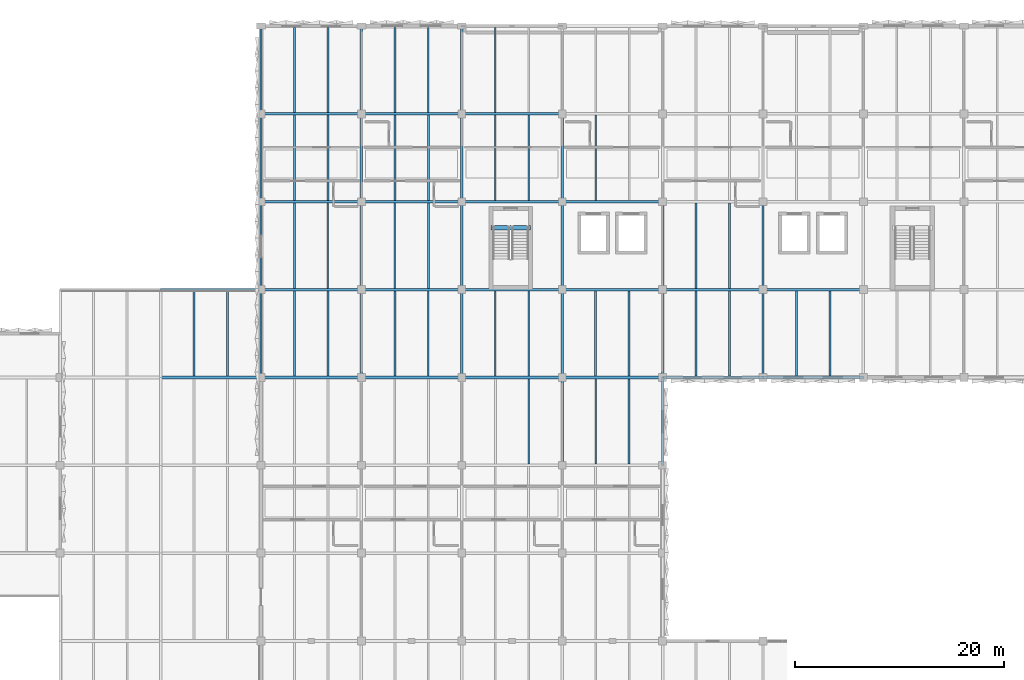
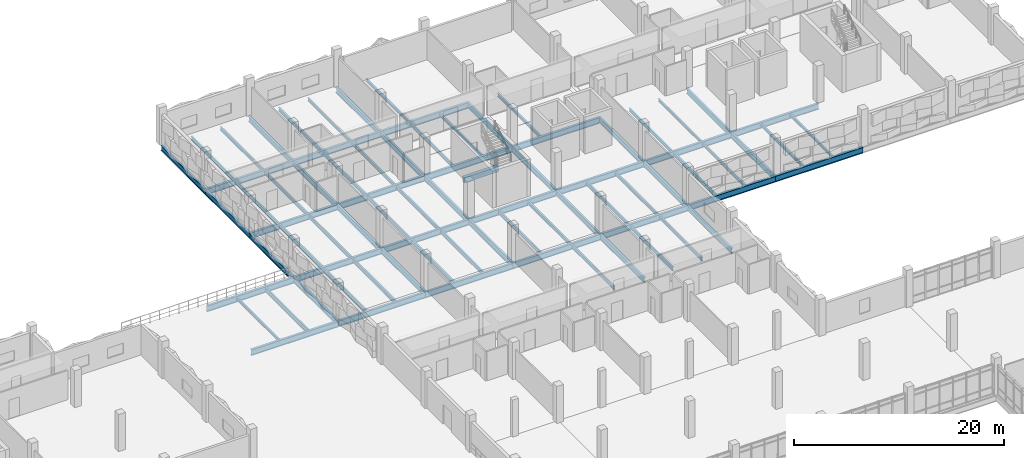
# One storey, part 35 of 86: 78 beams.
"""IFC4 building model written with IfcOpenShell, lengths in metres."""

from ifc_helpers import new_model, si_unit, direction, frame, origin, origin_2d, place, context, subcontext, project, spatial, rectangle, i_section, extrude, material, material_profile, profile_set, type_object, element, save


model = new_model("IFC4")

# Units and contexts
model_context = context("Model", 3, precision=1e-05, world=origin(), true_north=direction((0.0, 1.0)))
body_context = subcontext(model_context, "Body", "Model", "MODEL_VIEW")
ifc_project = project(units=[si_unit("LENGTHUNIT", "METRE"), si_unit("AREAUNIT", "SQUARE_METRE"), si_unit("VOLUMEUNIT", "CUBIC_METRE"), si_unit("PLANEANGLEUNIT", "RADIAN"), si_unit("MASSUNIT", "GRAM", prefix="KILO")], contexts=[model_context])

# Site, building, storey
site_placement = place(None, origin())
site = spatial("IfcSite", under=ifc_project, at=site_placement, CompositionType="ELEMENT")
building_placement = place(site_placement, origin())
building = spatial("IfcBuilding", under=site, at=building_placement, Name="Oolite Switchyard Hospital", CompositionType="ELEMENT")
storey_placement = place(building_placement, frame((0.0, 0.0, 13.5)))
storey = spatial("IfcBuildingStorey", under=building, at=storey_placement, Name="L03", CompositionType="ELEMENT", Elevation=13.5)

# Beams
ifc_material_1 = material(Name="Concrete C40/50", Category="concrete")
ifc_material_profile_1 = material_profile(ifc_material_1, rectangle(XDim=0.39990234375, YDim=0.60009765625, at=origin_2d()), Name="RCB400X600")
ifc_profile_set_1 = profile_set([ifc_material_profile_1], Name="Concrete C40/50")
beam_type_1 = type_object("IfcBeamType", Name="BM-RC400X600", PredefinedType="BEAM", material=ifc_profile_set_1)
beam_1_placement = place(storey_placement, frame((156.39990234375, 115.110107421875, -0.300048828125), z_axis=(1.0, 0.0, 0.0), x_axis=(0.0, 1.0, 0.0)))
element("IfcBeam", 1, at=beam_1_placement, inside=storey, type_object=beam_type_1, Name="L03 ST-03 Stair Throat Trimmer Beam", PredefinedType="BEAM", context=body_context, shape_type="SweptSolid", body=[
    extrude(rectangle(XDim=0.39990234375, YDim=0.60009765625, at=origin_2d()), origin(), (0.0, 0.0, 1.0), 3.760009765625),
])
ifc_material_2 = material(Name="Steel ASTM A992 Grade 50", Category="steel")
ifc_material_profile_2 = material_profile(ifc_material_2, i_section(OverallWidth=0.1650390625, OverallDepth=0.31005859375, WebThickness=0.006103515625, FlangeThickness=0.010009765625, at=origin_2d()), Name="W12X26")
ifc_profile_set_2 = profile_set([ifc_material_profile_2], Name="Steel ASTM A992 Grade 50")
beam_type_2 = type_object("IfcBeamType", Name="BM-W12X26", PredefinedType="JOIST", material=ifc_profile_set_2)
for number, where, z_axis, x_axis, name in (
    (2, (128.0, 100.927001953125, -0.445068359375), (0.0, 1.0, 0.0), (-1.0, 0.0, 0.0), "L03 Secondary Steel Joist 2586"),
    (3, (179.199951171875, 109.326904296875, -0.429931640625), (0.0, 1.0, 0.0), (-1.0, 0.0, 0.0), "L03 Secondary Steel Joist 2689"),
    (4, (188.800048828125, 100.927001953125, -0.429931640625), (0.0, 1.0, 0.0), (-1.0, 0.0, 0.0), "L03 Secondary Steel Joist 2711"),
):
    element("IfcBeam", number, at=place(storey_placement, frame(where, z_axis=z_axis, x_axis=x_axis)), inside=storey, type_object=beam_type_2, Name=name, PredefinedType="JOIST", context=body_context, shape_type="SweptSolid", body=[
        extrude(i_section(OverallWidth=0.1650390625, OverallDepth=0.31005859375, WebThickness=0.006103515625, FlangeThickness=0.010009765625, at=origin_2d()), origin(), (0.0, 0.0, 1.0), 8.14599609375),
    ])
ifc_material_profile_3 = material_profile(ifc_material_2, i_section(OverallWidth=0.1708984375, OverallDepth=0.35107421875, WebThickness=0.007080078125, FlangeThickness=0.010009765625, at=origin_2d()), Name="W14X30")
ifc_profile_set_3 = profile_set([ifc_material_profile_3], Name="Steel ASTM A992 Grade 50")
beam_type_3 = type_object("IfcBeamType", Name="BM-W14X30", PredefinedType="JOIST", material=ifc_profile_set_3)
beam_2_placement = place(storey_placement, frame((150.39990234375, 126.126953125, -0.449951171875), z_axis=(0.0, 1.0, 0.0), x_axis=(-1.0, 0.0, 0.0)))
element("IfcBeam", 5, at=beam_2_placement, inside=storey, type_object=beam_type_3, Name="L03 Secondary Steel Joist 2637", PredefinedType="JOIST", context=body_context, shape_type="SweptSolid", body=[
    extrude(i_section(OverallWidth=0.1708984375, OverallDepth=0.35107421875, WebThickness=0.007080078125, FlangeThickness=0.010009765625, at=origin_2d()), origin(), (0.0, 0.0, 1.0), 8.14013671875),
])
beam_3_placement = place(storey_placement, frame((160.0, 117.72705078125, -0.449951171875), z_axis=(0.0, 1.0, 0.0), x_axis=(-1.0, 0.0, 0.0)))
element("IfcBeam", 6, at=beam_3_placement, inside=storey, type_object=beam_type_3, Name="L03 Secondary Steel Joist 2655", PredefinedType="JOIST", context=body_context, shape_type="SweptSolid", body=[
    extrude(i_section(OverallWidth=0.1708984375, OverallDepth=0.35107421875, WebThickness=0.007080078125, FlangeThickness=0.010009765625, at=origin_2d()), origin(), (0.0, 0.0, 1.0), 8.14599609375),
])
beam_4_placement = place(storey_placement, frame((156.800048828125, 126.126953125, -0.449951171875), z_axis=(0.0, 1.0, 0.0), x_axis=(-1.0, 0.0, 0.0)))
element("IfcBeam", 7, at=beam_4_placement, inside=storey, type_object=beam_type_3, Name="L03 Secondary Steel Joist 2656", PredefinedType="JOIST", context=body_context, shape_type="SweptSolid", body=[
    extrude(i_section(OverallWidth=0.1708984375, OverallDepth=0.35107421875, WebThickness=0.007080078125, FlangeThickness=0.010009765625, at=origin_2d()), origin(), (0.0, 0.0, 1.0), 8.14013671875),
])
for number, where, z_axis, x_axis, name in (
    (8, (166.39990234375, 117.72705078125, -0.449951171875), (0.0, 1.0, 0.0), (-1.0, 0.0, 0.0), "L03 Secondary Steel Joist 2674"),
    (9, (179.199951171875, 100.927001953125, -0.449951171875), (0.0, 1.0, 0.0), (-1.0, 0.0, 0.0), "L03 Secondary Steel Joist 2687"),
    (10, (176.0, 109.326904296875, -0.449951171875), (0.0, 1.0, 0.0), (-1.0, 0.0, 0.0), "L03 Secondary Steel Joist 2688"),
    (11, (185.60009765625, 100.927001953125, -0.449951171875), (0.0, 1.0, 0.0), (-1.0, 0.0, 0.0), "L03 Secondary Steel Joist 2710"),
):
    element("IfcBeam", number, at=place(storey_placement, frame(where, z_axis=z_axis, x_axis=x_axis)), inside=storey, type_object=beam_type_3, Name=name, PredefinedType="JOIST", context=body_context, shape_type="SweptSolid", body=[
        extrude(i_section(OverallWidth=0.1708984375, OverallDepth=0.35107421875, WebThickness=0.007080078125, FlangeThickness=0.010009765625, at=origin_2d()), origin(), (0.0, 0.0, 1.0), 8.14599609375),
    ])
ifc_material_profile_4 = material_profile(ifc_material_2, i_section(OverallWidth=0.177978515625, OverallDepth=0.403076171875, WebThickness=0.008056640625, FlangeThickness=0.010986328125, at=origin_2d()), Name="W16X36")
ifc_profile_set_4 = profile_set([ifc_material_profile_4], Name="Steel ASTM A992 Grade 50")
beam_type_4 = type_object("IfcBeamType", Name="BM-W16X36", PredefinedType="JOIST", material=ifc_profile_set_4)
beam_5_placement = place(storey_placement, frame((140.800048828125, 126.126953125, -0.47607421875), z_axis=(0.0, 1.0, 0.0), x_axis=(-1.0, 0.0, 0.0)))
element("IfcBeam", 12, at=beam_5_placement, inside=storey, type_object=beam_type_4, Name="L03 Secondary Steel Joist 2617", PredefinedType="JOIST", context=body_context, shape_type="SweptSolid", body=[
    extrude(i_section(OverallWidth=0.177978515625, OverallDepth=0.403076171875, WebThickness=0.008056640625, FlangeThickness=0.010986328125, at=origin_2d()), origin(), (0.0, 0.0, 1.0), 8.14013671875),
])
beam_6_placement = place(storey_placement, frame((150.39990234375, 117.72705078125, -0.47607421875), z_axis=(0.0, 1.0, 0.0), x_axis=(-1.0, 0.0, 0.0)))
element("IfcBeam", 13, at=beam_6_placement, inside=storey, type_object=beam_type_4, Name="L03 Secondary Steel Joist 2635", PredefinedType="JOIST", context=body_context, shape_type="SweptSolid", body=[
    extrude(i_section(OverallWidth=0.177978515625, OverallDepth=0.403076171875, WebThickness=0.008056640625, FlangeThickness=0.010986328125, at=origin_2d()), origin(), (0.0, 0.0, 1.0), 8.14599609375),
])
beam_7_placement = place(storey_placement, frame((147.199951171875, 126.126953125, -0.47607421875), z_axis=(0.0, 1.0, 0.0), x_axis=(-1.0, 0.0, 0.0)))
element("IfcBeam", 14, at=beam_7_placement, inside=storey, type_object=beam_type_4, Name="L03 Secondary Steel Joist 2636", PredefinedType="JOIST", context=body_context, shape_type="SweptSolid", body=[
    extrude(i_section(OverallWidth=0.177978515625, OverallDepth=0.403076171875, WebThickness=0.008056640625, FlangeThickness=0.010986328125, at=origin_2d()), origin(), (0.0, 0.0, 1.0), 8.14013671875),
])
for number, where, z_axis, x_axis, name in (
    (15, (156.800048828125, 117.72705078125, -0.47607421875), (0.0, 1.0, 0.0), (-1.0, 0.0, 0.0), "L03 Secondary Steel Joist 2654"),
    (16, (169.60009765625, 100.927001953125, -0.47607421875), (0.0, 1.0, 0.0), (-1.0, 0.0, 0.0), "L03 Secondary Steel Joist 2673"),
    (17, (176.0, 100.927001953125, -0.47607421875), (0.0, 1.0, 0.0), (-1.0, 0.0, 0.0), "L03 Secondary Steel Joist 2686"),
):
    element("IfcBeam", number, at=place(storey_placement, frame(where, z_axis=z_axis, x_axis=x_axis)), inside=storey, type_object=beam_type_4, Name=name, PredefinedType="JOIST", context=body_context, shape_type="SweptSolid", body=[
        extrude(i_section(OverallWidth=0.177978515625, OverallDepth=0.403076171875, WebThickness=0.008056640625, FlangeThickness=0.010986328125, at=origin_2d()), origin(), (0.0, 0.0, 1.0), 8.14599609375),
    ])
ifc_material_profile_5 = material_profile(ifc_material_2, i_section(OverallWidth=0.179931640625, OverallDepth=0.4130859375, WebThickness=0.010009765625, FlangeThickness=0.01611328125, at=origin_2d()), Name="W16X50")
ifc_profile_set_5 = profile_set([ifc_material_profile_5], Name="Steel ASTM A992 Grade 50")
beam_type_5 = type_object("IfcBeamType", Name="BM-W16X50", PredefinedType="JOIST", material=ifc_profile_set_5)
beam_8_placement = place(storey_placement, frame((140.800048828125, 117.72705078125, -0.48193359375), z_axis=(0.0, 1.0, 0.0), x_axis=(-1.0, 0.0, 0.0)))
element("IfcBeam", 18, at=beam_8_placement, inside=storey, type_object=beam_type_5, Name="L03 Secondary Steel Joist 2615", PredefinedType="JOIST", context=body_context, shape_type="SweptSolid", body=[
    extrude(i_section(OverallWidth=0.179931640625, OverallDepth=0.4130859375, WebThickness=0.010009765625, FlangeThickness=0.01611328125, at=origin_2d()), origin(), (0.0, 0.0, 1.0), 8.14599609375),
])
beam_9_placement = place(storey_placement, frame((137.60009765625, 126.126953125, -0.48193359375), z_axis=(0.0, 1.0, 0.0), x_axis=(-1.0, 0.0, 0.0)))
element("IfcBeam", 19, at=beam_9_placement, inside=storey, type_object=beam_type_5, Name="L03 Secondary Steel Joist 2616", PredefinedType="JOIST", context=body_context, shape_type="SweptSolid", body=[
    extrude(i_section(OverallWidth=0.179931640625, OverallDepth=0.4130859375, WebThickness=0.010009765625, FlangeThickness=0.01611328125, at=origin_2d()), origin(), (0.0, 0.0, 1.0), 8.14013671875),
])
for number, where, z_axis, x_axis, name in (
    (20, (150.39990234375, 109.326904296875, -0.48193359375), (0.0, 1.0, 0.0), (-1.0, 0.0, 0.0), "L03 Secondary Steel Joist 2633"),
    (21, (147.199951171875, 117.72705078125, -0.48193359375), (0.0, 1.0, 0.0), (-1.0, 0.0, 0.0), "L03 Secondary Steel Joist 2634"),
    (22, (160.0, 100.927001953125, -0.48193359375), (0.0, 1.0, 0.0), (-1.0, 0.0, 0.0), "L03 Secondary Steel Joist 2653"),
    (23, (169.60009765625, 92.527099609375, -0.48193359375), (0.0, 1.0, 0.0), (-1.0, 0.0, 0.0), "L03 Secondary Steel Joist 2671"),
    (24, (166.39990234375, 100.927001953125, -0.48193359375), (0.0, 1.0, 0.0), (-1.0, 0.0, 0.0), "L03 Secondary Steel Joist 2672"),
):
    element("IfcBeam", number, at=place(storey_placement, frame(where, z_axis=z_axis, x_axis=x_axis)), inside=storey, type_object=beam_type_5, Name=name, PredefinedType="JOIST", context=body_context, shape_type="SweptSolid", body=[
        extrude(i_section(OverallWidth=0.179931640625, OverallDepth=0.4130859375, WebThickness=0.010009765625, FlangeThickness=0.01611328125, at=origin_2d()), origin(), (0.0, 0.0, 1.0), 8.14599609375),
    ])
ifc_material_profile_6 = material_profile(ifc_material_2, i_section(OverallWidth=0.153076171875, OverallDepth=0.455078125, WebThickness=0.008056640625, FlangeThickness=0.012939453125, at=origin_2d()), Name="W18X40")
ifc_profile_set_6 = profile_set([ifc_material_profile_6], Name="Steel ASTM A992 Grade 50")
beam_type_6 = type_object("IfcBeamType", Name="BM-W18X40", PredefinedType="JOIST", material=ifc_profile_set_6)
for number, where, z_axis, x_axis, name in (
    (25, (140.800048828125, 109.326904296875, -0.501953125), (0.0, 1.0, 0.0), (-1.0, 0.0, 0.0), "L03 Secondary Steel Joist 2613"),
    (26, (137.60009765625, 117.72705078125, -0.501953125), (0.0, 1.0, 0.0), (-1.0, 0.0, 0.0), "L03 Secondary Steel Joist 2614"),
    (27, (150.39990234375, 100.927001953125, -0.501953125), (0.0, 1.0, 0.0), (-1.0, 0.0, 0.0), "L03 Secondary Steel Joist 2631"),
    (28, (147.199951171875, 109.326904296875, -0.501953125), (0.0, 1.0, 0.0), (-1.0, 0.0, 0.0), "L03 Secondary Steel Joist 2632"),
    (29, (160.0, 92.527099609375, -0.501953125), (0.0, 1.0, 0.0), (-1.0, 0.0, 0.0), "L03 Secondary Steel Joist 2651"),
    (30, (156.800048828125, 100.927001953125, -0.501953125), (0.0, 1.0, 0.0), (-1.0, 0.0, 0.0), "L03 Secondary Steel Joist 2652"),
    (31, (166.39990234375, 92.527099609375, -0.501953125), (0.0, 1.0, 0.0), (-1.0, 0.0, 0.0), "L03 Secondary Steel Joist 2670"),
):
    element("IfcBeam", number, at=place(storey_placement, frame(where, z_axis=z_axis, x_axis=x_axis)), inside=storey, type_object=beam_type_6, Name=name, PredefinedType="JOIST", context=body_context, shape_type="SweptSolid", body=[
        extrude(i_section(OverallWidth=0.153076171875, OverallDepth=0.455078125, WebThickness=0.008056640625, FlangeThickness=0.012939453125, at=origin_2d()), origin(), (0.0, 0.0, 1.0), 8.14599609375),
    ])
ifc_material_profile_7 = material_profile(ifc_material_2, i_section(OverallWidth=0.19091796875, OverallDepth=0.4599609375, WebThickness=0.010009765625, FlangeThickness=0.01611328125, at=origin_2d()), Name="W18X55")
ifc_profile_set_7 = profile_set([ifc_material_profile_7], Name="Steel ASTM A992 Grade 50")
beam_type_7 = type_object("IfcBeamType", Name="BM-W18X55", PredefinedType="JOIST", material=ifc_profile_set_7)
for number, where, z_axis, x_axis, name in (
    (32, (140.800048828125, 100.927001953125, -0.5048828125), (0.0, 1.0, 0.0), (-1.0, 0.0, 0.0), "L03 Secondary Steel Joist 2611"),
    (33, (137.60009765625, 109.326904296875, -0.5048828125), (0.0, 1.0, 0.0), (-1.0, 0.0, 0.0), "L03 Secondary Steel Joist 2612"),
    (34, (147.199951171875, 100.927001953125, -0.5048828125), (0.0, 1.0, 0.0), (-1.0, 0.0, 0.0), "L03 Secondary Steel Joist 2630"),
):
    element("IfcBeam", number, at=place(storey_placement, frame(where, z_axis=z_axis, x_axis=x_axis)), inside=storey, type_object=beam_type_7, Name=name, PredefinedType="JOIST", context=body_context, shape_type="SweptSolid", body=[
        extrude(i_section(OverallWidth=0.19091796875, OverallDepth=0.4599609375, WebThickness=0.010009765625, FlangeThickness=0.01611328125, at=origin_2d()), origin(), (0.0, 0.0, 1.0), 8.14599609375),
    ])
ifc_material_profile_8 = material_profile(ifc_material_2, i_section(OverallWidth=0.166015625, OverallDepth=0.529052734375, WebThickness=0.010009765625, FlangeThickness=0.013916015625, at=origin_2d()), Name="W21X50")
ifc_profile_set_8 = profile_set([ifc_material_profile_8], Name="Steel ASTM A992 Grade 50")
beam_type_8 = type_object("IfcBeamType", Name="BM-W21X50", PredefinedType="JOIST", material=ifc_profile_set_8)
for number, where, z_axis, x_axis, name in (
    (35, (131.199951171875, 100.927001953125, -0.553955078125), (0.0, 1.0, 0.0), (-1.0, 0.0, 0.0), "L03 Secondary Steel Joist 2587"),
    (36, (137.60009765625, 100.927001953125, -0.5400390625), (0.0, 1.0, 0.0), (-1.0, 0.0, 0.0), "L03 Secondary Steel Joist 2610"),
):
    element("IfcBeam", number, at=place(storey_placement, frame(where, z_axis=z_axis, x_axis=x_axis)), inside=storey, type_object=beam_type_8, Name=name, PredefinedType="JOIST", context=body_context, shape_type="SweptSolid", body=[
        extrude(i_section(OverallWidth=0.166015625, OverallDepth=0.529052734375, WebThickness=0.010009765625, FlangeThickness=0.013916015625, at=origin_2d()), origin(), (0.0, 0.0, 1.0), 8.14599609375),
    ])
ifc_material_profile_9 = material_profile(ifc_material_2, i_section(OverallWidth=0.22900390625, OverallDepth=0.612060546875, WebThickness=0.011962890625, FlangeThickness=0.02001953125, at=origin_2d()), Name="W24X84")
ifc_profile_set_9 = profile_set([ifc_material_profile_9], Name="Steel ASTM A992 Grade 50")
beam_type_9 = type_object("IfcBeamType", Name="BM-W24X84", PredefinedType="BEAM", material=ifc_profile_set_9)
beam_10_placement = place(storey_placement, frame((134.39990234375, 100.800048828125, -0.595947265625), z_axis=(0.0, 1.0, 0.0), x_axis=(-1.0, 0.0, 0.0)))
element("IfcBeam", 37, at=beam_10_placement, inside=storey, type_object=beam_type_9, Name="L03 Y-Girder 2291", PredefinedType="BEAM", context=body_context, shape_type="SweptSolid", body=[
    extrude(i_section(OverallWidth=0.22900390625, OverallDepth=0.612060546875, WebThickness=0.011962890625, FlangeThickness=0.02001953125, at=origin_2d()), origin(), (0.0, 0.0, 1.0), 8.39990234375),
])
beam_11_placement = place(storey_placement, frame((134.39990234375, 109.199951171875, -0.5810546875), z_axis=(0.0, 1.0, 0.0), x_axis=(-1.0, 0.0, 0.0)))
element("IfcBeam", 38, at=beam_11_placement, inside=storey, type_object=beam_type_9, Name="L03 Y-Girder 2292", PredefinedType="BEAM", context=body_context, shape_type="SweptSolid", body=[
    extrude(i_section(OverallWidth=0.22900390625, OverallDepth=0.612060546875, WebThickness=0.011962890625, FlangeThickness=0.02001953125, at=origin_2d()), origin(), (0.0, 0.0, 1.0), 8.400146484375),
])
for number, where, z_axis, x_axis, name in (
    (39, (134.39990234375, 117.60009765625, -0.5810546875), (0.0, 1.0, 0.0), (-1.0, 0.0, 0.0), "L03 Y-Girder 2293"),
    (40, (134.39990234375, 126.0, -0.5810546875), (0.0, 1.0, 0.0), (-1.0, 0.0, 0.0), "L03 Y-Girder 2294"),
    (41, (144.0, 100.800048828125, -0.5810546875), (0.0, 1.0, 0.0), (-1.0, 0.0, 0.0), "L03 Y-Girder 2306"),
):
    element("IfcBeam", number, at=place(storey_placement, frame(where, z_axis=z_axis, x_axis=x_axis)), inside=storey, type_object=beam_type_9, Name=name, PredefinedType="BEAM", context=body_context, shape_type="SweptSolid", body=[
        extrude(i_section(OverallWidth=0.22900390625, OverallDepth=0.612060546875, WebThickness=0.011962890625, FlangeThickness=0.02001953125, at=origin_2d()), origin(), (0.0, 0.0, 1.0), 8.39990234375),
    ])
beam_12_placement = place(storey_placement, frame((144.0, 109.199951171875, -0.5810546875), z_axis=(0.0, 1.0, 0.0), x_axis=(-1.0, 0.0, 0.0)))
element("IfcBeam", 42, at=beam_12_placement, inside=storey, type_object=beam_type_9, Name="L03 Y-Girder 2307", PredefinedType="BEAM", context=body_context, shape_type="SweptSolid", body=[
    extrude(i_section(OverallWidth=0.22900390625, OverallDepth=0.612060546875, WebThickness=0.011962890625, FlangeThickness=0.02001953125, at=origin_2d()), origin(), (0.0, 0.0, 1.0), 8.400146484375),
])
for number, where, z_axis, x_axis, name in (
    (43, (144.0, 117.60009765625, -0.5810546875), (0.0, 1.0, 0.0), (-1.0, 0.0, 0.0), "L03 Y-Girder 2308"),
    (44, (144.0, 126.0, -0.5810546875), (0.0, 1.0, 0.0), (-1.0, 0.0, 0.0), "L03 Y-Girder 2309"),
    (45, (153.60009765625, 100.800048828125, -0.5810546875), (0.0, 1.0, 0.0), (-1.0, 0.0, 0.0), "L03 Y-Girder 2319"),
):
    element("IfcBeam", number, at=place(storey_placement, frame(where, z_axis=z_axis, x_axis=x_axis)), inside=storey, type_object=beam_type_9, Name=name, PredefinedType="BEAM", context=body_context, shape_type="SweptSolid", body=[
        extrude(i_section(OverallWidth=0.22900390625, OverallDepth=0.612060546875, WebThickness=0.011962890625, FlangeThickness=0.02001953125, at=origin_2d()), origin(), (0.0, 0.0, 1.0), 8.39990234375),
    ])
beam_13_placement = place(storey_placement, frame((153.60009765625, 109.199951171875, -0.5810546875), z_axis=(0.0, 1.0, 0.0), x_axis=(-1.0, 0.0, 0.0)))
element("IfcBeam", 46, at=beam_13_placement, inside=storey, type_object=beam_type_9, Name="L03 Y-Girder 2320", PredefinedType="BEAM", context=body_context, shape_type="SweptSolid", body=[
    extrude(i_section(OverallWidth=0.22900390625, OverallDepth=0.612060546875, WebThickness=0.011962890625, FlangeThickness=0.02001953125, at=origin_2d()), origin(), (0.0, 0.0, 1.0), 8.400146484375),
])
for number, where, z_axis, x_axis, name in (
    (47, (153.60009765625, 117.60009765625, -0.5810546875), (0.0, 1.0, 0.0), (-1.0, 0.0, 0.0), "L03 Y-Girder 2321"),
    (48, (153.60009765625, 126.0, -0.5810546875), (0.0, 1.0, 0.0), (-1.0, 0.0, 0.0), "L03 Y-Girder 2322"),
):
    element("IfcBeam", number, at=place(storey_placement, frame(where, z_axis=z_axis, x_axis=x_axis)), inside=storey, type_object=beam_type_9, Name=name, PredefinedType="BEAM", context=body_context, shape_type="SweptSolid", body=[
        extrude(i_section(OverallWidth=0.22900390625, OverallDepth=0.612060546875, WebThickness=0.011962890625, FlangeThickness=0.02001953125, at=origin_2d()), origin(), (0.0, 0.0, 1.0), 8.39990234375),
    ])
beam_14_placement = place(storey_placement, frame((163.199951171875, 92.39990234375, -0.5810546875), z_axis=(0.0, 1.0, 0.0), x_axis=(-1.0, 0.0, 0.0)))
element("IfcBeam", 49, at=beam_14_placement, inside=storey, type_object=beam_type_9, Name="L03 Y-Girder 2330", PredefinedType="BEAM", context=body_context, shape_type="SweptSolid", body=[
    extrude(i_section(OverallWidth=0.22900390625, OverallDepth=0.612060546875, WebThickness=0.011962890625, FlangeThickness=0.02001953125, at=origin_2d()), origin(), (0.0, 0.0, 1.0), 8.400146484375),
])
beam_15_placement = place(storey_placement, frame((163.199951171875, 100.800048828125, -0.5810546875), z_axis=(0.0, 1.0, 0.0), x_axis=(-1.0, 0.0, 0.0)))
element("IfcBeam", 50, at=beam_15_placement, inside=storey, type_object=beam_type_9, Name="L03 Y-Girder 2331", PredefinedType="BEAM", context=body_context, shape_type="SweptSolid", body=[
    extrude(i_section(OverallWidth=0.22900390625, OverallDepth=0.612060546875, WebThickness=0.011962890625, FlangeThickness=0.02001953125, at=origin_2d()), origin(), (0.0, 0.0, 1.0), 8.39990234375),
])
beam_16_placement = place(storey_placement, frame((163.199951171875, 109.199951171875, -0.5810546875), z_axis=(0.0, 1.0, 0.0), x_axis=(-1.0, 0.0, 0.0)))
element("IfcBeam", 51, at=beam_16_placement, inside=storey, type_object=beam_type_9, Name="L03 Y-Girder 2332", PredefinedType="BEAM", context=body_context, shape_type="SweptSolid", body=[
    extrude(i_section(OverallWidth=0.22900390625, OverallDepth=0.612060546875, WebThickness=0.011962890625, FlangeThickness=0.02001953125, at=origin_2d()), origin(), (0.0, 0.0, 1.0), 8.400146484375),
])
beam_17_placement = place(storey_placement, frame((163.199951171875, 117.60009765625, -0.5810546875), z_axis=(0.0, 1.0, 0.0), x_axis=(-1.0, 0.0, 0.0)))
element("IfcBeam", 52, at=beam_17_placement, inside=storey, type_object=beam_type_9, Name="L03 Y-Girder 2333", PredefinedType="BEAM", context=body_context, shape_type="SweptSolid", body=[
    extrude(i_section(OverallWidth=0.22900390625, OverallDepth=0.612060546875, WebThickness=0.011962890625, FlangeThickness=0.02001953125, at=origin_2d()), origin(), (0.0, 0.0, 1.0), 8.39990234375),
])
beam_18_placement = place(storey_placement, frame((172.800048828125, 92.39990234375, -0.5810546875), z_axis=(0.0, 1.0, 0.0), x_axis=(-1.0, 0.0, 0.0)))
element("IfcBeam", 53, at=beam_18_placement, inside=storey, type_object=beam_type_9, Name="L03 Y-Girder 2341", PredefinedType="BEAM", context=body_context, shape_type="SweptSolid", body=[
    extrude(i_section(OverallWidth=0.22900390625, OverallDepth=0.612060546875, WebThickness=0.011962890625, FlangeThickness=0.02001953125, at=origin_2d()), origin(), (0.0, 0.0, 1.0), 8.400146484375),
])
beam_19_placement = place(storey_placement, frame((172.800048828125, 100.800048828125, -0.5810546875), z_axis=(0.0, 1.0, 0.0), x_axis=(-1.0, 0.0, 0.0)))
element("IfcBeam", 54, at=beam_19_placement, inside=storey, type_object=beam_type_9, Name="L03 Y-Girder 2342", PredefinedType="BEAM", context=body_context, shape_type="SweptSolid", body=[
    extrude(i_section(OverallWidth=0.22900390625, OverallDepth=0.612060546875, WebThickness=0.011962890625, FlangeThickness=0.02001953125, at=origin_2d()), origin(), (0.0, 0.0, 1.0), 8.39990234375),
])
beam_20_placement = place(storey_placement, frame((172.800048828125, 109.199951171875, -0.5810546875), z_axis=(0.0, 1.0, 0.0), x_axis=(-1.0, 0.0, 0.0)))
element("IfcBeam", 55, at=beam_20_placement, inside=storey, type_object=beam_type_9, Name="L03 Y-Girder 2343", PredefinedType="BEAM", context=body_context, shape_type="SweptSolid", body=[
    extrude(i_section(OverallWidth=0.22900390625, OverallDepth=0.612060546875, WebThickness=0.011962890625, FlangeThickness=0.02001953125, at=origin_2d()), origin(), (0.0, 0.0, 1.0), 8.400146484375),
])
beam_21_placement = place(storey_placement, frame((182.39990234375, 100.800048828125, -0.5810546875), z_axis=(0.0, 1.0, 0.0), x_axis=(-1.0, 0.0, 0.0)))
element("IfcBeam", 56, at=beam_21_placement, inside=storey, type_object=beam_type_9, Name="L03 Y-Girder 2356", PredefinedType="BEAM", context=body_context, shape_type="SweptSolid", body=[
    extrude(i_section(OverallWidth=0.22900390625, OverallDepth=0.612060546875, WebThickness=0.011962890625, FlangeThickness=0.02001953125, at=origin_2d()), origin(), (0.0, 0.0, 1.0), 8.39990234375),
])
beam_22_placement = place(storey_placement, frame((182.39990234375, 109.199951171875, -0.5810546875), z_axis=(0.0, 1.0, 0.0), x_axis=(-1.0, 0.0, 0.0)))
element("IfcBeam", 57, at=beam_22_placement, inside=storey, type_object=beam_type_9, Name="L03 Y-Girder 2357", PredefinedType="BEAM", context=body_context, shape_type="SweptSolid", body=[
    extrude(i_section(OverallWidth=0.22900390625, OverallDepth=0.612060546875, WebThickness=0.011962890625, FlangeThickness=0.02001953125, at=origin_2d()), origin(), (0.0, 0.0, 1.0), 8.400146484375),
])
ifc_material_profile_10 = material_profile(ifc_material_2, i_section(OverallWidth=0.25390625, OverallDepth=0.68408203125, WebThickness=0.011962890625, FlangeThickness=0.01904296875, at=origin_2d()), Name="W27X94")
ifc_profile_set_10 = profile_set([ifc_material_profile_10], Name="Steel ASTM A992 Grade 50")
beam_type_10 = type_object("IfcBeamType", Name="BM-W27X94", PredefinedType="BEAM", material=ifc_profile_set_10)
beam_23_placement = place(storey_placement, frame((124.800048828125, 100.800048828125, -0.632080078125), z_axis=(1.0, 0.0, 0.0), x_axis=(0.0, 1.0, 0.0)))
element("IfcBeam", 58, at=beam_23_placement, inside=storey, type_object=beam_type_10, Name="L03 X-Girder 2087", PredefinedType="BEAM", context=body_context, shape_type="SweptSolid", body=[
    extrude(i_section(OverallWidth=0.25390625, OverallDepth=0.68408203125, WebThickness=0.011962890625, FlangeThickness=0.01904296875, at=origin_2d()), origin(), (0.0, 0.0, 1.0), 9.599853515625),
])
for number, where, z_axis, x_axis, name in (
    (59, (134.39990234375, 100.800048828125, -0.616943359375), (1.0, 0.0, 0.0), (0.0, 1.0, 0.0), "L03 X-Girder 2088"),
    (60, (144.0, 100.800048828125, -0.616943359375), (1.0, 0.0, 0.0), (0.0, 1.0, 0.0), "L03 X-Girder 2089"),
):
    element("IfcBeam", number, at=place(storey_placement, frame(where, z_axis=z_axis, x_axis=x_axis)), inside=storey, type_object=beam_type_10, Name=name, PredefinedType="BEAM", context=body_context, shape_type="SweptSolid", body=[
        extrude(i_section(OverallWidth=0.25390625, OverallDepth=0.68408203125, WebThickness=0.011962890625, FlangeThickness=0.01904296875, at=origin_2d()), origin(), (0.0, 0.0, 1.0), 9.60009765625),
    ])
beam_24_placement = place(storey_placement, frame((153.60009765625, 100.800048828125, -0.616943359375), z_axis=(1.0, 0.0, 0.0), x_axis=(0.0, 1.0, 0.0)))
element("IfcBeam", 61, at=beam_24_placement, inside=storey, type_object=beam_type_10, Name="L03 X-Girder 2090", PredefinedType="BEAM", context=body_context, shape_type="SweptSolid", body=[
    extrude(i_section(OverallWidth=0.25390625, OverallDepth=0.68408203125, WebThickness=0.011962890625, FlangeThickness=0.01904296875, at=origin_2d()), origin(), (0.0, 0.0, 1.0), 9.599853515625),
])
beam_25_placement = place(storey_placement, frame((163.199951171875, 100.800048828125, -0.616943359375), z_axis=(1.0, 0.0, 0.0), x_axis=(0.0, 1.0, 0.0)))
element("IfcBeam", 62, at=beam_25_placement, inside=storey, type_object=beam_type_10, Name="L03 X-Girder 2091", PredefinedType="BEAM", context=body_context, shape_type="SweptSolid", body=[
    extrude(i_section(OverallWidth=0.25390625, OverallDepth=0.68408203125, WebThickness=0.011962890625, FlangeThickness=0.01904296875, at=origin_2d()), origin(), (0.0, 0.0, 1.0), 9.60009765625),
])
beam_26_placement = place(storey_placement, frame((172.800048828125, 100.800048828125, -0.616943359375), z_axis=(1.0, 0.0, 0.0), x_axis=(0.0, 1.0, 0.0)))
element("IfcBeam", 63, at=beam_26_placement, inside=storey, type_object=beam_type_10, Name="L03 X-Girder 2092", PredefinedType="BEAM", context=body_context, shape_type="SweptSolid", body=[
    extrude(i_section(OverallWidth=0.25390625, OverallDepth=0.68408203125, WebThickness=0.011962890625, FlangeThickness=0.01904296875, at=origin_2d()), origin(), (0.0, 0.0, 1.0), 9.599853515625),
])
beam_27_placement = place(storey_placement, frame((182.39990234375, 100.800048828125, -0.616943359375), z_axis=(1.0, 0.0, 0.0), x_axis=(0.0, 1.0, 0.0)))
element("IfcBeam", 64, at=beam_27_placement, inside=storey, type_object=beam_type_10, Name="L03 X-Girder 2093", PredefinedType="BEAM", context=body_context, shape_type="SweptSolid", body=[
    extrude(i_section(OverallWidth=0.25390625, OverallDepth=0.68408203125, WebThickness=0.011962890625, FlangeThickness=0.01904296875, at=origin_2d()), origin(), (0.0, 0.0, 1.0), 9.60009765625),
])
beam_28_placement = place(storey_placement, frame((124.800048828125, 109.199951171875, -0.632080078125), z_axis=(1.0, 0.0, 0.0), x_axis=(0.0, 1.0, 0.0)))
element("IfcBeam", 65, at=beam_28_placement, inside=storey, type_object=beam_type_10, Name="L03 X-Girder 2108", PredefinedType="BEAM", context=body_context, shape_type="SweptSolid", body=[
    extrude(i_section(OverallWidth=0.25390625, OverallDepth=0.68408203125, WebThickness=0.011962890625, FlangeThickness=0.01904296875, at=origin_2d()), origin(), (0.0, 0.0, 1.0), 9.599853515625),
])
for number, where, z_axis, x_axis, name in (
    (66, (134.39990234375, 109.199951171875, -0.616943359375), (1.0, 0.0, 0.0), (0.0, 1.0, 0.0), "L03 X-Girder 2109"),
    (67, (144.0, 109.199951171875, -0.616943359375), (1.0, 0.0, 0.0), (0.0, 1.0, 0.0), "L03 X-Girder 2110"),
):
    element("IfcBeam", number, at=place(storey_placement, frame(where, z_axis=z_axis, x_axis=x_axis)), inside=storey, type_object=beam_type_10, Name=name, PredefinedType="BEAM", context=body_context, shape_type="SweptSolid", body=[
        extrude(i_section(OverallWidth=0.25390625, OverallDepth=0.68408203125, WebThickness=0.011962890625, FlangeThickness=0.01904296875, at=origin_2d()), origin(), (0.0, 0.0, 1.0), 9.60009765625),
    ])
beam_29_placement = place(storey_placement, frame((153.60009765625, 109.199951171875, -0.616943359375), z_axis=(1.0, 0.0, 0.0), x_axis=(0.0, 1.0, 0.0)))
element("IfcBeam", 68, at=beam_29_placement, inside=storey, type_object=beam_type_10, Name="L03 X-Girder 2111", PredefinedType="BEAM", context=body_context, shape_type="SweptSolid", body=[
    extrude(i_section(OverallWidth=0.25390625, OverallDepth=0.68408203125, WebThickness=0.011962890625, FlangeThickness=0.01904296875, at=origin_2d()), origin(), (0.0, 0.0, 1.0), 9.599853515625),
])
beam_30_placement = place(storey_placement, frame((163.199951171875, 109.199951171875, -0.616943359375), z_axis=(1.0, 0.0, 0.0), x_axis=(0.0, 1.0, 0.0)))
element("IfcBeam", 69, at=beam_30_placement, inside=storey, type_object=beam_type_10, Name="L03 X-Girder 2112", PredefinedType="BEAM", context=body_context, shape_type="SweptSolid", body=[
    extrude(i_section(OverallWidth=0.25390625, OverallDepth=0.68408203125, WebThickness=0.011962890625, FlangeThickness=0.01904296875, at=origin_2d()), origin(), (0.0, 0.0, 1.0), 9.60009765625),
])
beam_31_placement = place(storey_placement, frame((172.800048828125, 109.199951171875, -0.616943359375), z_axis=(1.0, 0.0, 0.0), x_axis=(0.0, 1.0, 0.0)))
element("IfcBeam", 70, at=beam_31_placement, inside=storey, type_object=beam_type_10, Name="L03 X-Girder 2113", PredefinedType="BEAM", context=body_context, shape_type="SweptSolid", body=[
    extrude(i_section(OverallWidth=0.25390625, OverallDepth=0.68408203125, WebThickness=0.011962890625, FlangeThickness=0.01904296875, at=origin_2d()), origin(), (0.0, 0.0, 1.0), 9.599853515625),
])
for number, where, z_axis, x_axis, name in (
    (71, (182.39990234375, 109.199951171875, -0.616943359375), (1.0, 0.0, 0.0), (0.0, 1.0, 0.0), "L03 X-Girder 2114"),
    (72, (134.39990234375, 117.60009765625, -0.616943359375), (1.0, 0.0, 0.0), (0.0, 1.0, 0.0), "L03 X-Girder 2125"),
    (73, (144.0, 117.60009765625, -0.616943359375), (1.0, 0.0, 0.0), (0.0, 1.0, 0.0), "L03 X-Girder 2126"),
):
    element("IfcBeam", number, at=place(storey_placement, frame(where, z_axis=z_axis, x_axis=x_axis)), inside=storey, type_object=beam_type_10, Name=name, PredefinedType="BEAM", context=body_context, shape_type="SweptSolid", body=[
        extrude(i_section(OverallWidth=0.25390625, OverallDepth=0.68408203125, WebThickness=0.011962890625, FlangeThickness=0.01904296875, at=origin_2d()), origin(), (0.0, 0.0, 1.0), 9.60009765625),
    ])
beam_32_placement = place(storey_placement, frame((153.60009765625, 117.60009765625, -0.616943359375), z_axis=(1.0, 0.0, 0.0), x_axis=(0.0, 1.0, 0.0)))
element("IfcBeam", 74, at=beam_32_placement, inside=storey, type_object=beam_type_10, Name="L03 X-Girder 2127", PredefinedType="BEAM", context=body_context, shape_type="SweptSolid", body=[
    extrude(i_section(OverallWidth=0.25390625, OverallDepth=0.68408203125, WebThickness=0.011962890625, FlangeThickness=0.01904296875, at=origin_2d()), origin(), (0.0, 0.0, 1.0), 9.599853515625),
])
for number, where, z_axis, x_axis, name in (
    (75, (163.199951171875, 117.60009765625, -0.616943359375), (1.0, 0.0, 0.0), (0.0, 1.0, 0.0), "L03 X-Girder 2128"),
    (76, (134.39990234375, 126.0, -0.616943359375), (1.0, 0.0, 0.0), (0.0, 1.0, 0.0), "L03 X-Girder 2141"),
    (77, (144.0, 126.0, -0.616943359375), (1.0, 0.0, 0.0), (0.0, 1.0, 0.0), "L03 X-Girder 2142"),
):
    element("IfcBeam", number, at=place(storey_placement, frame(where, z_axis=z_axis, x_axis=x_axis)), inside=storey, type_object=beam_type_10, Name=name, PredefinedType="BEAM", context=body_context, shape_type="SweptSolid", body=[
        extrude(i_section(OverallWidth=0.25390625, OverallDepth=0.68408203125, WebThickness=0.011962890625, FlangeThickness=0.01904296875, at=origin_2d()), origin(), (0.0, 0.0, 1.0), 9.60009765625),
    ])
beam_33_placement = place(storey_placement, frame((153.60009765625, 126.0, -0.616943359375), z_axis=(1.0, 0.0, 0.0), x_axis=(0.0, 1.0, 0.0)))
element("IfcBeam", 78, at=beam_33_placement, inside=storey, type_object=beam_type_10, Name="L03 X-Girder 2143", PredefinedType="BEAM", context=body_context, shape_type="SweptSolid", body=[
    extrude(i_section(OverallWidth=0.25390625, OverallDepth=0.68408203125, WebThickness=0.011962890625, FlangeThickness=0.01904296875, at=origin_2d()), origin(), (0.0, 0.0, 1.0), 9.599853515625),
])

save(model, "model.ifc")
